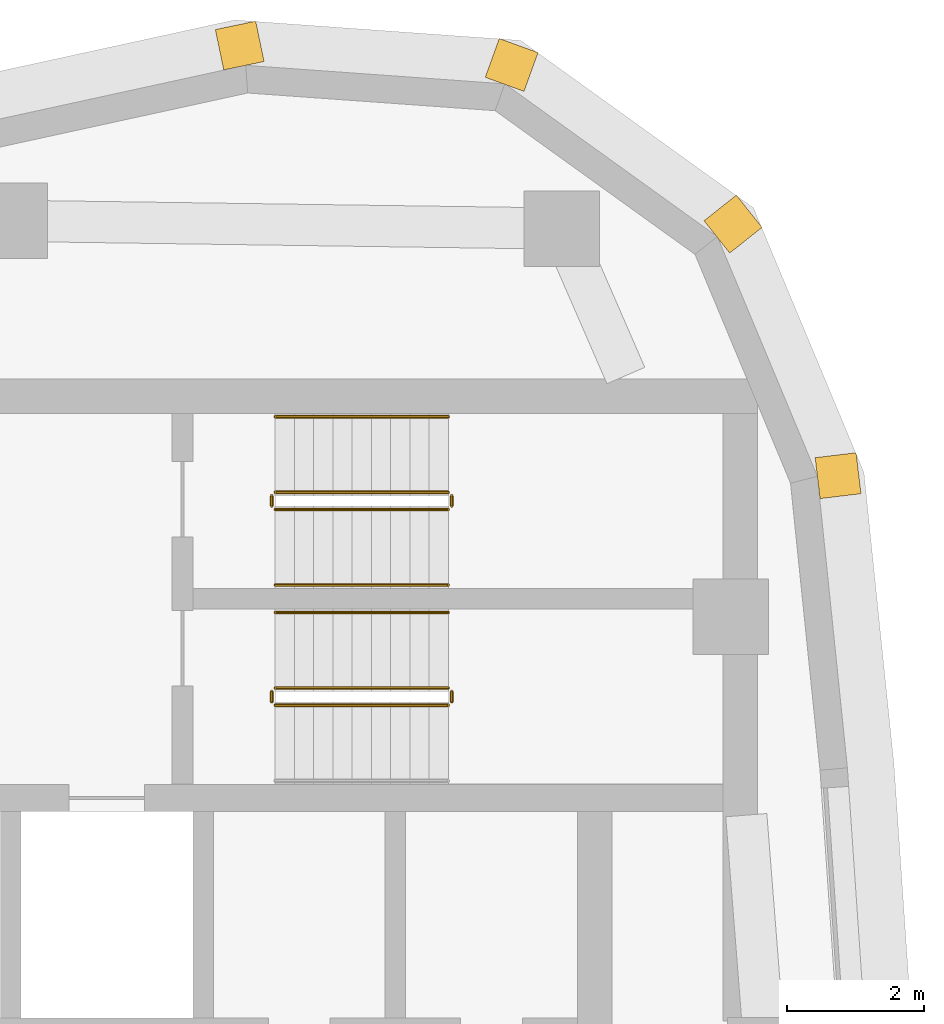
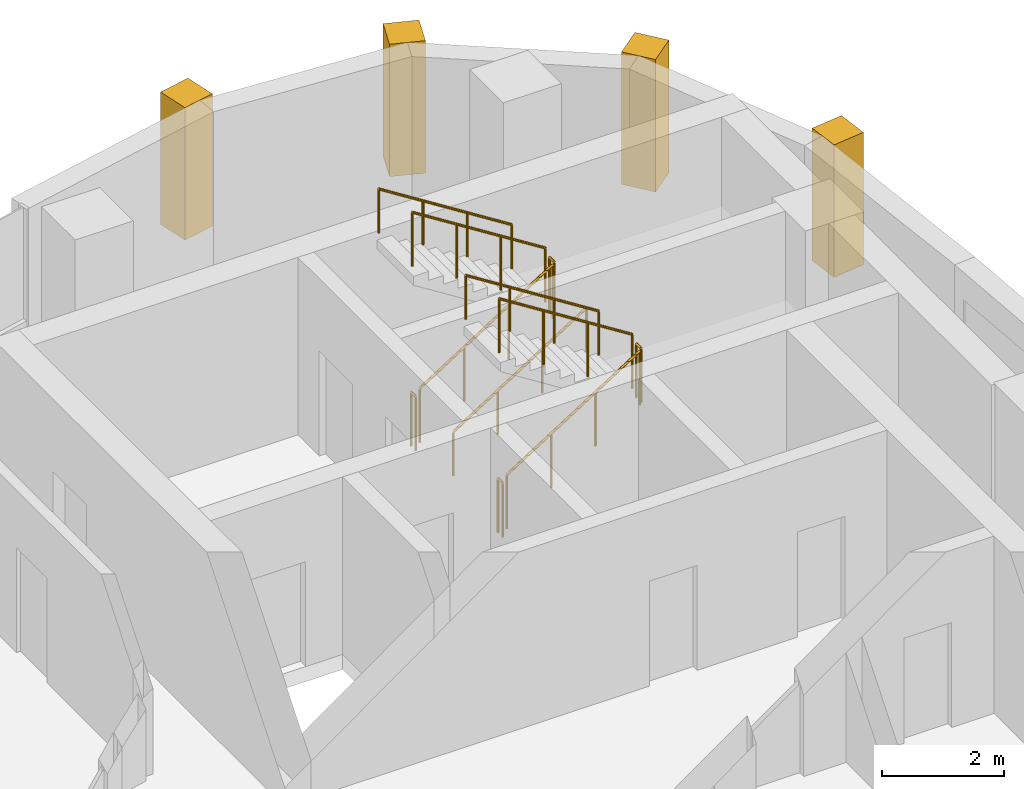
# One storey, part 14 of 14: 11 railings, 4 coverings.
"""IFC4 building model written with IfcOpenShell, lengths in metres."""

import ifcopenshell
import ifcopenshell.guid

model = None  # the IFC model being written
_history = None  # IfcOwnerHistory: only IFC2X3 demands one
_inside = {}  # id of a spatial element -> (the spatial element, [elements in it])
_under = {}  # id of a project, library or spatial element -> (it, [spatial elements below it])
_declared = {}  # id of a project -> (the project, [libraries it declares])
_typed = {}  # id of a type object -> (the type object, [elements of that type])
_made_of = {}  # id of a material, layer set ... -> (it, [elements and type objects made of it])


def new_model(schema):
    """Start an empty IFC model of exactly this schema.

    Asked for "IFC4X3", IfcOpenShell would pick the latest addendum, in which some entities
    have other attributes; the version numbers below select the first issue.
    IFC2X3 requires an IfcOwnerHistory on every rooted entity: one is made here for all.
    """
    global model, _history
    if schema == "IFC4X3":
        model = ifcopenshell.file(schema_version=(4, 3, 0, 0))
    else:
        model = ifcopenshell.file(schema=schema)
    _inside.clear()
    _under.clear()
    _declared.clear()
    _typed.clear()
    _made_of.clear()
    _history = None
    if model.schema == "IFC2X3":
        org = make("IfcOrganization", Name="unknown")
        user = make(
            "IfcPersonAndOrganization",
            ThePerson=make("IfcPerson", FamilyName="unknown"),
            TheOrganization=org,
        )
        app = make(
            "IfcApplication",
            ApplicationDeveloper=org,
            Version="unknown",
            ApplicationFullName="unknown",
            ApplicationIdentifier="unknown",
        )
        _history = make(
            "IfcOwnerHistory",
            OwningUser=user,
            OwningApplication=app,
            ChangeAction="ADDED",
            CreationDate=0,
        )
    return model


def make(cls, **values):
    """One entity of the class cls with the attributes given. An attribute that is None is left unset."""
    return model.create_entity(
        cls, **{name: value for name, value in values.items() if value is not None}
    )


def rooted(cls, **values):
    """An entity with a GlobalId (a new one), such as an element, a storey or a relation."""
    return make(cls, GlobalId=ifcopenshell.guid.new(), OwnerHistory=_history, **values)


def si_unit(unit_type, name, prefix=None):
    """IfcSIUnit, for example si_unit("LENGTHUNIT", "METRE", prefix="MILLI")."""
    return make("IfcSIUnit", UnitType=unit_type, Prefix=prefix, Name=name)


def assignment(units):
    """IfcUnitAssignment: the units of a project."""
    return None if units is None else make("IfcUnitAssignment", Units=units)


def point(xyz):
    """IfcCartesianPoint."""
    return None if xyz is None else make("IfcCartesianPoint", Coordinates=xyz)


def direction(xyz):
    """IfcDirection."""
    return None if xyz is None else make("IfcDirection", DirectionRatios=xyz)


def frame(location, z_axis=None, x_axis=None):
    """IfcAxis2Placement3D, a coordinate frame: its origin and axes. An axis left out is left unset."""
    return make(
        "IfcAxis2Placement3D",
        Location=point(location),
        Axis=direction(z_axis),
        RefDirection=direction(x_axis),
    )


def frame_2d(location, x_axis=None):
    """IfcAxis2Placement2D, a coordinate frame in the plane: its origin and x axis."""
    return make(
        "IfcAxis2Placement2D", Location=point(location), RefDirection=direction(x_axis)
    )


def origin():
    """The frame at (0, 0, 0) with its axes left unset."""
    return frame((0.0, 0.0, 0.0))


def origin_2d():
    """The frame at (0, 0) in the plane with its x axis left unset."""
    return frame_2d((0.0, 0.0))


def place(relative_to, where):
    """IfcLocalPlacement: puts the frame where relative to a parent placement (None: the world)."""
    return make(
        "IfcLocalPlacement", PlacementRelTo=relative_to, RelativePlacement=where
    )


def context(
    kind, dimensions, precision=None, world=None, true_north=None, identifier=None
):
    """IfcGeometricRepresentationContext, for example the 3D "Model" context."""
    return make(
        "IfcGeometricRepresentationContext",
        ContextIdentifier=identifier,
        ContextType=kind,
        CoordinateSpaceDimension=dimensions,
        Precision=precision,
        WorldCoordinateSystem=world,
        TrueNorth=true_north,
    )


def subcontext(parent, identifier, kind, view, scale=None):
    """IfcGeometricRepresentationSubContext, for example "Body" below "Model"."""
    return make(
        "IfcGeometricRepresentationSubContext",
        ContextIdentifier=identifier,
        ContextType=kind,
        ParentContext=parent,
        TargetScale=scale,
        TargetView=view,
    )


def project(units=None, contexts=None):
    """IfcProject with its units and contexts."""
    return rooted(
        "IfcProject",
        Name="project",
        RepresentationContexts=contexts,
        UnitsInContext=assignment(units),
    )


def spatial(cls, under=None, at=None, **own):
    """A site, building, storey or space (cls), placed at a placement, below another one or the project."""
    s = rooted(cls, ObjectPlacement=at, **own)
    if under is not None:
        _under.setdefault(under.id(), (under, []))[1].append(s)
    return s


def profile(cls, at=None, kind="AREA", **sizes):
    """A parametric profile (cls). Its sizes go by their IFC names, for example OverallWidth=200.0."""
    return make(cls, ProfileType=kind, Position=at, **sizes)


def rectangle(**sizes):
    """IfcRectangleProfileDef."""
    return profile("IfcRectangleProfileDef", **sizes)


def circle(**sizes):
    """IfcCircleProfileDef."""
    return profile("IfcCircleProfileDef", **sizes)


def extrude(swept, where, along, depth):
    """IfcExtrudedAreaSolid: the profile swept, set in the frame where, extruded along a direction by depth."""
    return make(
        "IfcExtrudedAreaSolid",
        SweptArea=swept,
        Position=where,
        ExtrudedDirection=direction(along),
        Depth=depth,
    )


def shape(context_of_items, identifier, shape_type, items):
    """IfcShapeRepresentation: the items that make up one representation, for example the "Body"."""
    return make(
        "IfcShapeRepresentation",
        ContextOfItems=context_of_items,
        RepresentationIdentifier=identifier,
        RepresentationType=shape_type,
        Items=items,
    )


def material(Name=None, Category=None):
    """IfcMaterial."""
    return make("IfcMaterial", Name=Name, Category=Category)


def layer(
    of_material, thickness, ventilated=None, Name=None, Category=None, Priority=None
):
    """IfcMaterialLayer: one layer of a wall or slab, of a material (None: an air gap)."""
    return make(
        "IfcMaterialLayer",
        Material=of_material,
        LayerThickness=thickness,
        IsVentilated=ventilated,
        Name=Name,
        Category=Category,
        Priority=Priority,
    )


def layer_set(layers, Name=None):
    """IfcMaterialLayerSet."""
    return make("IfcMaterialLayerSet", MaterialLayers=layers, LayerSetName=Name)


def made_of(thing, what):
    """Note that an element or type object is made of a material, layer set ...; save() writes the relation."""
    if what is not None:
        _made_of.setdefault(what.id(), (what, []))[1].append(thing)
    return thing


def type_object(cls, material=None, **own):
    """A type object (cls), such as IfcWallType, which elements share."""
    return made_of(rooted(cls, **own), material)


def element(
    cls,
    number,
    at=None,
    inside=None,
    cuts=None,
    type_object=None,
    material=None,
    context=None,
    identifier="Body",
    shape_type=None,
    held_by="IfcProductDefinitionShape",
    body=None,
    shapes=None,
    **own,
):
    """One element of the class cls, such as IfcWall. Its Tag is "e" and its number.

    at: its placement. inside: the storey or other place that contains it. cuts: it is an
    opening in that element (IfcRelVoidsElement). A single representation is given by context,
    identifier, shape_type and body (its items); several are given by shapes. held_by: the class
    of the entity that holds the representations. save() writes the other relations.
    """
    e = rooted(cls, Tag="e%d" % number, ObjectPlacement=at, **own)
    if body is not None:
        shapes = [shape(context, identifier, shape_type, body)]
    if shapes is not None:
        e.Representation = make(held_by, Representations=shapes)
    if inside is not None:
        _inside.setdefault(inside.id(), (inside, []))[1].append(e)
    if cuts is not None:
        rooted(
            "IfcRelVoidsElement", RelatingBuildingElement=cuts, RelatedOpeningElement=e
        )
    if type_object is not None:
        _typed.setdefault(type_object.id(), (type_object, []))[1].append(e)
    return made_of(e, material)


def aggregate(whole, parts):
    """IfcRelAggregates: a whole, such as a stair, and the parts it consists of."""
    return rooted("IfcRelAggregates", RelatingObject=whole, RelatedObjects=parts)


def save(model, path):
    """Write the relations noted so far, then the file.

    IfcRelAggregates (storeys below a building ...), IfcRelContainedInSpatialStructure (elements
    in a storey), IfcRelDefinesByType, IfcRelAssociatesMaterial and IfcRelDeclares: one each for
    every whole, place, type object, material and project.
    """
    for whole, parts in _under.values():
        aggregate(whole, parts)
    for where, things in _inside.values():
        rooted(
            "IfcRelContainedInSpatialStructure",
            RelatedElements=things,
            RelatingStructure=where,
        )
    for kind, things in _typed.values():
        rooted("IfcRelDefinesByType", RelatedObjects=things, RelatingType=kind)
    for what, things in _made_of.values():
        rooted("IfcRelAssociatesMaterial", RelatedObjects=things, RelatingMaterial=what)
    for by, libraries in _declared.values():
        rooted("IfcRelDeclares", RelatingContext=by, RelatedDefinitions=libraries)
    model.write(path)


model = new_model("IFC4")

# Units and contexts
model_context = context("Model", 3, precision=1e-05, world=origin(), true_north=direction((0.0, 1.0)))
body_context = subcontext(model_context, "Body", "Model", "MODEL_VIEW")
ifc_project = project(units=[si_unit("LENGTHUNIT", "METRE"), si_unit("AREAUNIT", "SQUARE_METRE"), si_unit("VOLUMEUNIT", "CUBIC_METRE"), si_unit("PLANEANGLEUNIT", "RADIAN"), si_unit("MASSUNIT", "GRAM", prefix="KILO")], contexts=[model_context])

# Site, building, storey
site_placement = place(None, origin())
site = spatial("IfcSite", under=ifc_project, at=site_placement, CompositionType="ELEMENT")
building_placement = place(site_placement, origin())
building = spatial("IfcBuilding", under=site, at=building_placement, Name="Ostrand Prow Hotel Tower", CompositionType="ELEMENT")
storey_placement = place(building_placement, frame((0.0, 0.0, 271.449951171875)))
storey = spatial("IfcBuildingStorey", under=building, at=storey_placement, Name="L68", CompositionType="ELEMENT", Elevation=271.449951171875)

# Coverings
ifc_material_1 = material(Name="Limestone cladding", Category="masonry")
ifc_layer = layer(ifc_material_1, 0.60009765625)
ifc_layer_set = layer_set([ifc_layer], Name="Limestone cladding")
covering_type = type_object("IfcCoveringType", Name="Precast stone prow rib 600x600", PredefinedType="CLADDING", material=ifc_layer_set)
covering_1_placement = place(storey_placement, frame((65.0966796875, 14.806396484375, 0.60009765625), z_axis=(0.0, 0.0, 1.0), x_axis=(0.992867207971, 0.119225447515, 0.0)))
element("IfcCovering", 1, at=covering_1_placement, inside=storey, type_object=covering_type, Name="Stone corner rib 12a", PredefinedType="CLADDING", context=body_context, shape_type="SweptSolid", body=[
    extrude(rectangle(XDim=0.60009765625, YDim=0.60009765625, at=frame_2d((0.300048828125, 0.0))), origin(), (0.0, 0.0, 1.0), 2.64990234375),
])
for number, where, z_axis, x_axis, name in (
    (2, (63.630615234375, 18.318359375, 0.60009765625), (0.0, 0.0, 1.0), (0.782731736812, 0.622359243674, 0.0), "Stone corner rib 13a"),
    (3, (60.540283203125, 20.539794921875, 0.60009765625), (0.0, 0.0, 1.0), (0.340664419472, 0.940184956966, 0.0), "Stone corner rib 14a"),
):
    element("IfcCovering", number, at=place(storey_placement, frame(where, z_axis=z_axis, x_axis=x_axis)), inside=storey, type_object=covering_type, Name=name, PredefinedType="CLADDING", context=body_context, shape_type="SweptSolid", body=[
        extrude(rectangle(XDim=0.599853515625, YDim=0.60009765625, at=frame_2d((0.2998046875, 0.0))), origin(), (0.0, 0.0, 1.0), 2.64990234375),
    ])
covering_2_placement = place(storey_placement, frame((56.744384765625, 20.810546875, 0.60009765625), z_axis=(0.0, 0.0, 1.0), x_axis=(-0.203385687349, 0.979098698897, 0.0)))
element("IfcCovering", 4, at=covering_2_placement, inside=storey, type_object=covering_type, Name="Stone corner rib 14b", PredefinedType="CLADDING", context=body_context, shape_type="SweptSolid", body=[
    extrude(rectangle(XDim=0.60009765625, YDim=0.60009765625, at=frame_2d((0.300048828125, 0.0))), origin(), (0.0, 0.0, 1.0), 2.64990234375),
])

# Railings
ifc_material_2 = material(Name="Painted steel", Category="steel")
railing_type_1 = type_object("IfcRailingType", Name="Stair guard 1100", PredefinedType="GUARDRAIL", material=ifc_material_2)
railing_1_placement = place(storey_placement, frame((57.199951171875, 11.5, 0.177490234375)))
element("IfcRailing", 5, at=railing_1_placement, inside=storey, type_object=railing_type_1, Name="L68 ST1C stair guard 1", PredefinedType="GUARDRAIL", context=body_context, shape_type="SweptSolid", body=[
    extrude(circle(Radius=0.02392578125, at=origin_2d()), frame((0.0, 0.0, 1.076171875), z_axis=(0.84456994832, 0.0, 0.535445237532), x_axis=(0.0, 1.0, 0.0)), (0.0, 0.0, 1.0), 2.98388671875),
    extrude(circle(Radius=0.02099609375, at=origin_2d()), origin(), (0.0, 0.0, 1.0), 1.052001953125),
    extrude(circle(Radius=0.02099609375, at=origin_2d()), frame((0.840087890625, 0.0, 0.532470703125)), (0.0, 0.0, 1.0), 1.052001953125),
    extrude(circle(Radius=0.02099609375, at=origin_2d()), frame((1.679931640625, 0.0, 1.065185546875)), (0.0, 0.0, 1.0), 1.052001953125),
    extrude(circle(Radius=0.02099609375, at=origin_2d()), frame((2.52001953125, 0.0, 1.59765625)), (0.0, 0.0, 1.0), 1.052001953125),
])
railing_2_placement = place(storey_placement, frame((59.77001953125, 11.550048828125, 1.775146484375)))
element("IfcRailing", 6, at=railing_2_placement, inside=storey, type_object=railing_type_1, Name="L68 ST1C stair guard 2", PredefinedType="GUARDRAIL", context=body_context, shape_type="SweptSolid", body=[
    extrude(circle(Radius=0.02392578125, at=origin_2d()), frame((0.0, 0.0, 1.076171875), z_axis=(0.0, 1.0, 0.0), x_axis=(-1.0, 0.0, 0.0)), (0.0, 0.0, 1.0), 0.14990234375),
    extrude(circle(Radius=0.02099609375, at=origin_2d()), origin(), (0.0, 0.0, 1.0), 1.052001953125),
    extrude(circle(Radius=0.02099609375, at=origin_2d()), frame((0.0, 0.14990234375, 0.0)), (0.0, 0.0, 1.0), 1.052001953125),
])
railing_3_placement = place(storey_placement, frame((59.719970703125, 11.75, 1.95263671875)))
element("IfcRailing", 7, at=railing_3_placement, inside=storey, type_object=railing_type_1, Name="L68 ST1C stair guard 3", PredefinedType="GUARDRAIL", context=body_context, shape_type="SweptSolid", body=[
    extrude(circle(Radius=0.02392578125, at=origin_2d()), frame((0.0, 0.0, 1.076171875), z_axis=(-0.84460694969, 0.0, 0.535386869969), x_axis=(0.0, -1.0, 0.0)), (0.0, 0.0, 1.0), 2.983642578125),
    extrude(circle(Radius=0.02099609375, at=origin_2d()), origin(), (0.0, 0.0, 1.0), 1.052001953125),
    extrude(circle(Radius=0.02099609375, at=origin_2d()), frame((-0.840087890625, 0.0, 0.532470703125)), (0.0, 0.0, 1.0), 1.052001953125),
    extrude(circle(Radius=0.02099609375, at=origin_2d()), frame((-1.679931640625, 0.0, 1.06494140625)), (0.0, 0.0, 1.0), 1.052001953125),
    extrude(circle(Radius=0.02099609375, at=origin_2d()), frame((-2.52001953125, 0.0, 1.597412109375)), (0.0, 0.0, 1.0), 1.052001953125),
])
railing_4_placement = place(storey_placement, frame((57.14990234375, 11.550048828125, 0.0)))
element("IfcRailing", 8, at=railing_4_placement, inside=storey, type_object=railing_type_1, Name="L68 ST1C stair guard 4", PredefinedType="GUARDRAIL", context=body_context, shape_type="SweptSolid", body=[
    extrude(circle(Radius=0.02392578125, at=origin_2d()), frame((0.0, 0.0, 1.076171875), z_axis=(0.0, 1.0, 0.0), x_axis=(-1.0, 0.0, 0.0)), (0.0, 0.0, 1.0), 0.14990234375),
    extrude(circle(Radius=0.02099609375, at=origin_2d()), origin(), (0.0, 0.0, 1.0), 1.052001953125),
    extrude(circle(Radius=0.02099609375, at=origin_2d()), frame((0.0, 0.14990234375, 0.0)), (0.0, 0.0, 1.0), 1.052001953125),
])
railing_5_placement = place(storey_placement, frame((57.199951171875, 14.35009765625, 0.177490234375)))
element("IfcRailing", 9, at=railing_5_placement, inside=storey, type_object=railing_type_1, Name="L68 ST3C stair guard 1", PredefinedType="GUARDRAIL", context=body_context, shape_type="SweptSolid", body=[
    extrude(circle(Radius=0.02392578125, at=origin_2d()), frame((0.0, 0.0, 1.076171875), z_axis=(0.84456994832, 0.0, 0.535445237532), x_axis=(0.0, 1.0, 0.0)), (0.0, 0.0, 1.0), 2.98388671875),
    extrude(circle(Radius=0.02099609375, at=origin_2d()), origin(), (0.0, 0.0, 1.0), 1.052001953125),
    extrude(circle(Radius=0.02099609375, at=origin_2d()), frame((0.840087890625, 0.0, 0.532470703125)), (0.0, 0.0, 1.0), 1.052001953125),
    extrude(circle(Radius=0.02099609375, at=origin_2d()), frame((1.679931640625, 0.0, 1.065185546875)), (0.0, 0.0, 1.0), 1.052001953125),
    extrude(circle(Radius=0.02099609375, at=origin_2d()), frame((2.52001953125, 0.0, 1.59765625)), (0.0, 0.0, 1.0), 1.052001953125),
])
railing_6_placement = place(storey_placement, frame((59.77001953125, 14.39990234375, 1.775146484375)))
element("IfcRailing", 10, at=railing_6_placement, inside=storey, type_object=railing_type_1, Name="L68 ST3C stair guard 2", PredefinedType="GUARDRAIL", context=body_context, shape_type="SweptSolid", body=[
    extrude(circle(Radius=0.02392578125, at=origin_2d()), frame((0.0, 0.0, 1.076171875), z_axis=(0.0, 1.0, 0.0), x_axis=(-1.0, 0.0, 0.0)), (0.0, 0.0, 1.0), 0.150146484375),
    extrude(circle(Radius=0.02099609375, at=origin_2d()), origin(), (0.0, 0.0, 1.0), 1.052001953125),
    extrude(circle(Radius=0.02099609375, at=origin_2d()), frame((0.0, 0.150146484375, 0.0)), (0.0, 0.0, 1.0), 1.052001953125),
])
railing_7_placement = place(storey_placement, frame((59.719970703125, 14.60009765625, 1.95263671875)))
element("IfcRailing", 11, at=railing_7_placement, inside=storey, type_object=railing_type_1, Name="L68 ST3C stair guard 3", PredefinedType="GUARDRAIL", context=body_context, shape_type="SweptSolid", body=[
    extrude(circle(Radius=0.02392578125, at=origin_2d()), frame((0.0, 0.0, 1.076171875), z_axis=(-0.84460694969, 0.0, 0.535386869969), x_axis=(0.0, -1.0, 0.0)), (0.0, 0.0, 1.0), 2.983642578125),
    extrude(circle(Radius=0.02099609375, at=origin_2d()), origin(), (0.0, 0.0, 1.0), 1.052001953125),
    extrude(circle(Radius=0.02099609375, at=origin_2d()), frame((-0.840087890625, 0.0, 0.532470703125)), (0.0, 0.0, 1.0), 1.052001953125),
    extrude(circle(Radius=0.02099609375, at=origin_2d()), frame((-1.679931640625, 0.0, 1.06494140625)), (0.0, 0.0, 1.0), 1.052001953125),
    extrude(circle(Radius=0.02099609375, at=origin_2d()), frame((-2.52001953125, 0.0, 1.597412109375)), (0.0, 0.0, 1.0), 1.052001953125),
])
railing_8_placement = place(storey_placement, frame((57.14990234375, 14.39990234375, 0.0)))
element("IfcRailing", 12, at=railing_8_placement, inside=storey, type_object=railing_type_1, Name="L68 ST3C stair guard 4", PredefinedType="GUARDRAIL", context=body_context, shape_type="SweptSolid", body=[
    extrude(circle(Radius=0.02392578125, at=origin_2d()), frame((0.0, 0.0, 1.076171875), z_axis=(0.0, 1.0, 0.0), x_axis=(-1.0, 0.0, 0.0)), (0.0, 0.0, 1.0), 0.150146484375),
    extrude(circle(Radius=0.02099609375, at=origin_2d()), origin(), (0.0, 0.0, 1.0), 1.052001953125),
    extrude(circle(Radius=0.02099609375, at=origin_2d()), frame((0.0, 0.150146484375, 0.0)), (0.0, 0.0, 1.0), 1.052001953125),
])
ifc_material_3 = material(Name="Stainless steel", Category="steel")
railing_type_2 = type_object("IfcRailingType", Name="Stair handrail 900", PredefinedType="HANDRAIL", material=ifc_material_3)
railing_9_placement = place(storey_placement, frame((59.719970703125, 12.85009765625, 1.95263671875)))
element("IfcRailing", 13, at=railing_9_placement, inside=storey, type_object=railing_type_2, Name="L68 ST1C stair handrail 2", PredefinedType="HANDRAIL", context=body_context, shape_type="SweptSolid", body=[
    extrude(circle(Radius=0.02392578125, at=origin_2d()), frame((0.0, 0.0, 0.8759765625), z_axis=(-0.84460694969, 0.0, 0.535386869969), x_axis=(0.0, -1.0, 0.0)), (0.0, 0.0, 1.0), 2.983642578125),
    extrude(circle(Radius=0.02099609375, at=origin_2d()), origin(), (0.0, 0.0, 1.0), 0.851806640625),
    extrude(circle(Radius=0.02099609375, at=origin_2d()), frame((-0.840087890625, 0.0, 0.532470703125)), (0.0, 0.0, 1.0), 0.851806640625),
    extrude(circle(Radius=0.02099609375, at=origin_2d()), frame((-1.679931640625, 0.0, 1.06494140625)), (0.0, 0.0, 1.0), 0.851806640625),
    extrude(circle(Radius=0.02099609375, at=origin_2d()), frame((-2.52001953125, 0.0, 1.597412109375)), (0.0, 0.0, 1.0), 0.851806640625),
])
railing_10_placement = place(storey_placement, frame((57.199951171875, 13.25, 0.177490234375)))
element("IfcRailing", 14, at=railing_10_placement, inside=storey, type_object=railing_type_2, Name="L68 ST3C stair handrail 1", PredefinedType="HANDRAIL", context=body_context, shape_type="SweptSolid", body=[
    extrude(circle(Radius=0.02392578125, at=origin_2d()), frame((0.0, 0.0, 0.8759765625), z_axis=(0.84456994832, 0.0, 0.535445237532), x_axis=(0.0, 1.0, 0.0)), (0.0, 0.0, 1.0), 2.98388671875),
    extrude(circle(Radius=0.02099609375, at=origin_2d()), origin(), (0.0, 0.0, 1.0), 0.851806640625),
    extrude(circle(Radius=0.02099609375, at=origin_2d()), frame((0.840087890625, 0.0, 0.532470703125)), (0.0, 0.0, 1.0), 0.851806640625),
    extrude(circle(Radius=0.02099609375, at=origin_2d()), frame((1.679931640625, 0.0, 1.065185546875)), (0.0, 0.0, 1.0), 0.851806640625),
    extrude(circle(Radius=0.02099609375, at=origin_2d()), frame((2.52001953125, 0.0, 1.59765625)), (0.0, 0.0, 1.0), 0.851806640625),
])
railing_11_placement = place(storey_placement, frame((59.719970703125, 15.699951171875, 1.95263671875)))
element("IfcRailing", 15, at=railing_11_placement, inside=storey, type_object=railing_type_2, Name="L68 ST3C stair handrail 2", PredefinedType="HANDRAIL", context=body_context, shape_type="SweptSolid", body=[
    extrude(circle(Radius=0.02392578125, at=origin_2d()), frame((0.0, 0.0, 0.8759765625), z_axis=(-0.84460694969, 0.0, 0.535386869969), x_axis=(0.0, -1.0, 0.0)), (0.0, 0.0, 1.0), 2.983642578125),
    extrude(circle(Radius=0.02099609375, at=origin_2d()), origin(), (0.0, 0.0, 1.0), 0.851806640625),
    extrude(circle(Radius=0.02099609375, at=origin_2d()), frame((-0.840087890625, 0.0, 0.532470703125)), (0.0, 0.0, 1.0), 0.851806640625),
    extrude(circle(Radius=0.02099609375, at=origin_2d()), frame((-1.679931640625, 0.0, 1.06494140625)), (0.0, 0.0, 1.0), 0.851806640625),
    extrude(circle(Radius=0.02099609375, at=origin_2d()), frame((-2.52001953125, 0.0, 1.597412109375)), (0.0, 0.0, 1.0), 0.851806640625),
])

save(model, "model.ifc")
